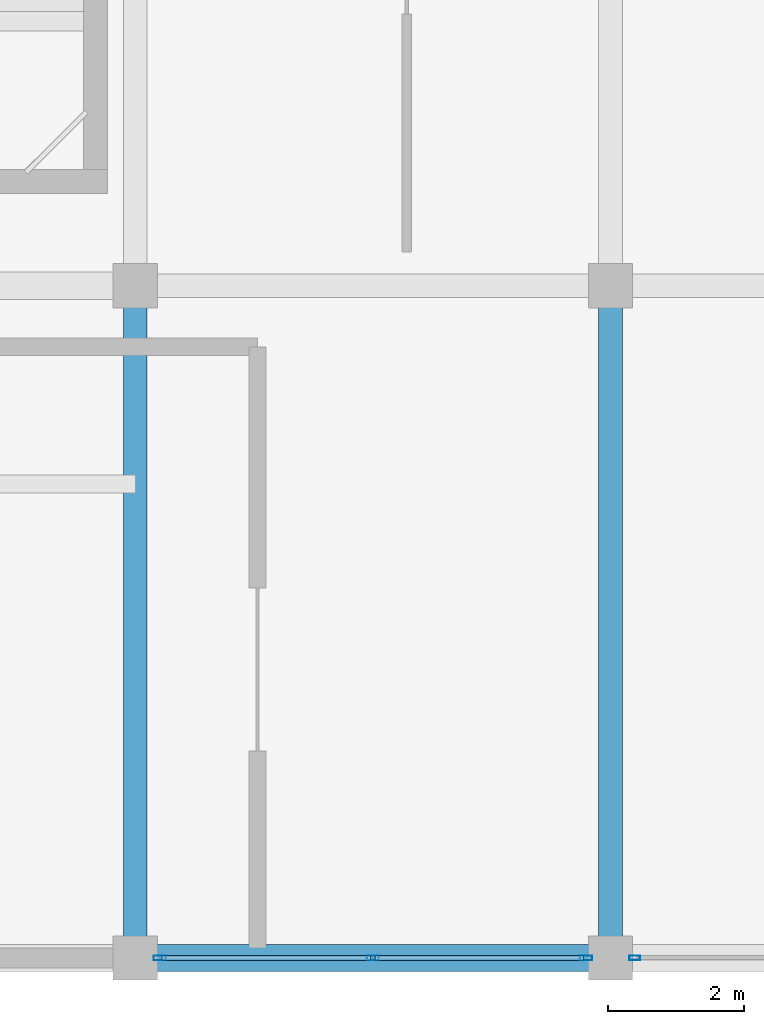
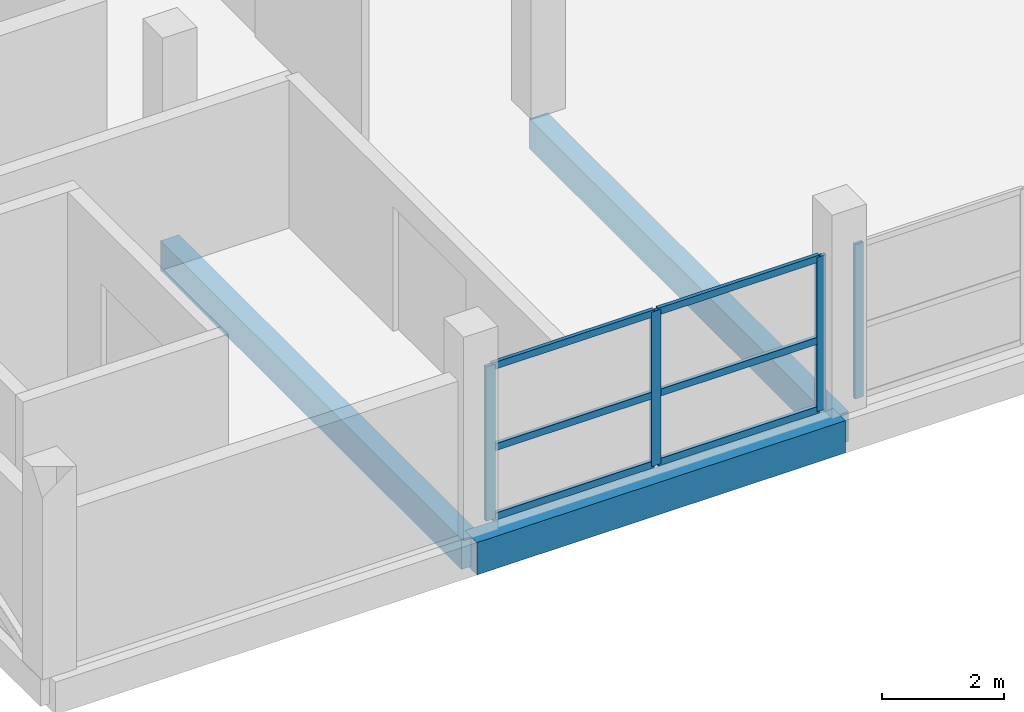
# One storey, part 2 of 66: 10 members, 3 beams, 2 elements without a shape of their own.
"""IFC4 building model written with IfcOpenShell, lengths in metres."""

from ifc_helpers import new_model, si_unit, direction, frame, origin, origin_2d, place, context, subcontext, project, spatial, rectangle, hollow_rectangle, extrude, material, layer, layer_set, material_profile, profile_set, type_object, element, aggregate, save


model = new_model("IFC4")

# Units and contexts
model_context = context("Model", 3, precision=1e-05, world=origin(), true_north=direction((0.0, 1.0)))
body_context = subcontext(model_context, "Body", "Model", "MODEL_VIEW")
ifc_project = project(units=[si_unit("LENGTHUNIT", "METRE"), si_unit("AREAUNIT", "SQUARE_METRE"), si_unit("VOLUMEUNIT", "CUBIC_METRE"), si_unit("PLANEANGLEUNIT", "RADIAN"), si_unit("MASSUNIT", "GRAM", prefix="KILO")], contexts=[model_context])

# Site, building, storey
site_placement = place(None, origin())
site = spatial("IfcSite", under=ifc_project, at=site_placement, CompositionType="ELEMENT")
building_placement = place(site_placement, origin())
building = spatial("IfcBuilding", under=site, at=building_placement, Name="Sillaruma Civic Art Gallery", CompositionType="ELEMENT")
storey_placement = place(building_placement, frame((0.0, 0.0, 62.219970703125)))
storey = spatial("IfcBuildingStorey", under=building, at=storey_placement, Name="L12", CompositionType="ELEMENT", Elevation=62.219970703125)

# Beams
ifc_material_1 = material(Name="Concrete H35 (35 MPa)", Category="concrete")
ifc_material_profile_1 = material_profile(ifc_material_1, rectangle(XDim=0.35009765625, YDim=0.60009765625, at=origin_2d()), Name="RCB350x600")
ifc_profile_set_1 = profile_set([ifc_material_profile_1], Name="Concrete H35 (35 MPa)")
beam_type_1 = type_object("IfcBeamType", Name="BM-BEAM-RCB350x600", PredefinedType="BEAM", material=ifc_profile_set_1)
for number, where, z_axis, x_axis, name in (
    (1, (70.0, 19.800048828125, -0.530029296875), (0.0, 1.0, 0.0), (-1.0, 0.0, 0.0), "Beam BM-06 (L11:G:3-4)"),
    (2, (77.0, 19.800048828125, -0.530029296875), (0.0, 1.0, 0.0), (-1.0, 0.0, 0.0), "Beam BM-06 (L11:H:3-4)"),
):
    element("IfcBeam", number, at=place(storey_placement, frame(where, z_axis=z_axis, x_axis=x_axis)), inside=storey, type_object=beam_type_1, Name=name, PredefinedType="BEAM", context=body_context, shape_type="SweptSolid", body=[
        extrude(rectangle(XDim=0.35009765625, YDim=0.60009765625, at=origin_2d()), origin(), (0.0, 0.0, 1.0), 9.89990234375),
    ])
ifc_material_profile_2 = material_profile(ifc_material_1, rectangle(XDim=0.39990234375, YDim=0.64990234375, at=origin_2d()), Name="RCB400x650")
ifc_profile_set_2 = profile_set([ifc_material_profile_2], Name="Concrete H35 (35 MPa)")
beam_type_2 = type_object("IfcBeamType", Name="BM-SPANDREL-RCB400x650", PredefinedType="SPANDREL", material=ifc_profile_set_2)
beam_placement = place(storey_placement, frame((70.0, 19.800048828125, -0.554931640625), z_axis=(1.0, 0.0, 0.0), x_axis=(0.0, 1.0, 0.0)))
element("IfcBeam", 3, at=beam_placement, inside=storey, type_object=beam_type_2, Name="Beam BS-02 (L11:3:G-H)", PredefinedType="SPANDREL", context=body_context, shape_type="SweptSolid", body=[
    extrude(rectangle(XDim=0.39990234375, YDim=0.64990234375, at=origin_2d()), origin(), (0.0, 0.0, 1.0), 7.0),
])

# Curtain wall, member
ifc_material_2 = material(Name="Thermally Broken Extruded Aluminium 6063-T6", Category="aluminium")
ifc_layer_1 = layer(ifc_material_2, 0.159912109375, Name="Thermally Broken Extruded Aluminium 6063-T6")
ifc_layer_set_1 = layer_set([ifc_layer_1], Name="Thermally Broken Extruded Aluminium 6063-T6")
curtain_wall_type_1 = type_object("IfcCurtainWallType", Name="CW-UNI-96", PredefinedType="NOTDEFINED", material=ifc_layer_set_1)
curtain_wall_1_placement = place(storey_placement, origin())
curtain_wall_1 = element("IfcCurtainWall", 4, at=curtain_wall_1_placement, inside=storey, type_object=curtain_wall_type_1, Name="Unitised Curtain Wall CW-96 (CW-L12-WBS-3)", PredefinedType="NOTDEFINED")
ifc_material_profile_3 = material_profile(ifc_material_2, hollow_rectangle(XDim=0.06494140625, YDim=0.159912109375, WallThickness=0.00390625, at=origin_2d()), Name="CWM65x160")
ifc_profile_set_3 = profile_set([ifc_material_profile_3], Name="Thermally Broken Extruded Aluminium 6063-T6")
member_type_1 = type_object("IfcMemberType", Name="MEM-MUL-CWM65x160", PredefinedType="MULLION", material=ifc_profile_set_3)
member_1_placement = place(storey_placement, frame((77.357421875, 19.800048828125, 0.0), z_axis=(0.0, 0.0, 1.0), x_axis=(0.0, 1.0, 0.0)))
member_1 = element("IfcMember", 5, at=member_1_placement, type_object=member_type_1, Name="CW-96 mullion 1", PredefinedType="MULLION", context=body_context, shape_type="SweptSolid", body=[
    extrude(hollow_rectangle(XDim=0.06494140625, YDim=0.159912109375, WallThickness=0.00390625, at=origin_2d()), origin(), (0.0, 0.0, 1.0), 3.10009765625),
])
aggregate(curtain_wall_1, [member_1])

# Curtain wall, members
ifc_layer_2 = layer(ifc_material_2, 0.179931640625, Name="Thermally Broken Extruded Aluminium 6063-T6")
ifc_layer_set_2 = layer_set([ifc_layer_2], Name="Thermally Broken Extruded Aluminium 6063-T6")
curtain_wall_type_2 = type_object("IfcCurtainWallType", Name="CW-UNI-95", PredefinedType="NOTDEFINED", material=ifc_layer_set_2)
curtain_wall_2_placement = place(storey_placement, origin())
curtain_wall_2 = element("IfcCurtainWall", 6, at=curtain_wall_2_placement, inside=storey, type_object=curtain_wall_type_2, Name="Unitised Curtain Wall CW-95 (CW-L12-WBS-2)", PredefinedType="NOTDEFINED")
ifc_material_profile_4 = material_profile(ifc_material_2, hollow_rectangle(XDim=0.070068359375, YDim=0.179931640625, WallThickness=0.00390625, at=origin_2d()), Name="CWM70x180")
ifc_profile_set_4 = profile_set([ifc_material_profile_4], Name="Thermally Broken Extruded Aluminium 6063-T6")
member_type_2 = type_object("IfcMemberType", Name="MEM-MUL-CWM70x180", PredefinedType="MULLION", material=ifc_profile_set_4)
member_2_placement = place(storey_placement, frame((70.360107421875, 19.800048828125, 0.0), z_axis=(0.0, 0.0, 1.0), x_axis=(0.0, 1.0, 0.0)))
member_2 = element("IfcMember", 7, at=member_2_placement, type_object=member_type_2, Name="CW-95 mullion 1", PredefinedType="MULLION", context=body_context, shape_type="SweptSolid", body=[
    extrude(hollow_rectangle(XDim=0.070068359375, YDim=0.179931640625, WallThickness=0.00390625, at=origin_2d()), origin(), (0.0, 0.0, 1.0), 3.10009765625),
])
member_3_placement = place(storey_placement, frame((73.5, 19.800048828125, 0.0), z_axis=(0.0, 0.0, 1.0), x_axis=(0.0, 1.0, 0.0)))
member_3 = element("IfcMember", 8, at=member_3_placement, type_object=member_type_2, Name="CW-95 mullion 2", PredefinedType="MULLION", context=body_context, shape_type="SweptSolid", body=[
    extrude(hollow_rectangle(XDim=0.070068359375, YDim=0.179931640625, WallThickness=0.00390625, at=origin_2d()), origin(), (0.0, 0.0, 1.0), 3.10009765625),
])
member_4_placement = place(storey_placement, frame((76.639892578125, 19.800048828125, 0.0), z_axis=(0.0, 0.0, 1.0), x_axis=(0.0, 1.0, 0.0)))
member_4 = element("IfcMember", 9, at=member_4_placement, type_object=member_type_2, Name="CW-95 mullion 3", PredefinedType="MULLION", context=body_context, shape_type="SweptSolid", body=[
    extrude(hollow_rectangle(XDim=0.070068359375, YDim=0.179931640625, WallThickness=0.00390625, at=origin_2d()), origin(), (0.0, 0.0, 1.0), 3.10009765625),
])
ifc_material_profile_5 = material_profile(ifc_material_2, hollow_rectangle(XDim=0.070068359375, YDim=0.139892578125, WallThickness=0.00390625, at=origin_2d()), Name="CWT70x140")
ifc_profile_set_5 = profile_set([ifc_material_profile_5], Name="Thermally Broken Extruded Aluminium 6063-T6")
member_type_3 = type_object("IfcMemberType", Name="MEM-TRN-CWT70x140", PredefinedType="USERDEFINED", material=ifc_profile_set_5)
member_5_placement = place(storey_placement, frame((70.39501953125, 19.800048828125, 0.034912109375), z_axis=(1.0, 0.0, 0.0), x_axis=(0.0, 1.0, 0.0)))
member_5 = element("IfcMember", 10, at=member_5_placement, type_object=member_type_3, Name="CW-95 transom 1.1", ObjectType="TRANSOM", PredefinedType="USERDEFINED", context=body_context, shape_type="SweptSolid", body=[
    extrude(hollow_rectangle(XDim=0.070068359375, YDim=0.139892578125, WallThickness=0.00390625, at=origin_2d()), origin(), (0.0, 0.0, 1.0), 3.070068359375),
])
member_6_placement = place(storey_placement, frame((70.39501953125, 19.800048828125, 1.426025390625), z_axis=(1.0, 0.0, 0.0), x_axis=(0.0, 1.0, 0.0)))
member_6 = element("IfcMember", 11, at=member_6_placement, type_object=member_type_3, Name="CW-95 transom 1.2", ObjectType="TRANSOM", PredefinedType="USERDEFINED", context=body_context, shape_type="SweptSolid", body=[
    extrude(hollow_rectangle(XDim=0.070068359375, YDim=0.139892578125, WallThickness=0.00390625, at=origin_2d()), origin(), (0.0, 0.0, 1.0), 3.070068359375),
])
member_7_placement = place(storey_placement, frame((70.39501953125, 19.800048828125, 3.06494140625), z_axis=(1.0, 0.0, 0.0), x_axis=(0.0, 1.0, 0.0)))
member_7 = element("IfcMember", 12, at=member_7_placement, type_object=member_type_3, Name="CW-95 transom 1.3", ObjectType="TRANSOM", PredefinedType="USERDEFINED", context=body_context, shape_type="SweptSolid", body=[
    extrude(hollow_rectangle(XDim=0.070068359375, YDim=0.139892578125, WallThickness=0.00390625, at=origin_2d()), origin(), (0.0, 0.0, 1.0), 3.070068359375),
])
member_8_placement = place(storey_placement, frame((73.534912109375, 19.800048828125, 0.034912109375), z_axis=(1.0, 0.0, 0.0), x_axis=(0.0, 1.0, 0.0)))
member_8 = element("IfcMember", 13, at=member_8_placement, type_object=member_type_3, Name="CW-95 transom 2.1", ObjectType="TRANSOM", PredefinedType="USERDEFINED", context=body_context, shape_type="SweptSolid", body=[
    extrude(hollow_rectangle(XDim=0.070068359375, YDim=0.139892578125, WallThickness=0.00390625, at=origin_2d()), origin(), (0.0, 0.0, 1.0), 3.070068359375),
])
member_9_placement = place(storey_placement, frame((73.534912109375, 19.800048828125, 1.426025390625), z_axis=(1.0, 0.0, 0.0), x_axis=(0.0, 1.0, 0.0)))
member_9 = element("IfcMember", 14, at=member_9_placement, type_object=member_type_3, Name="CW-95 transom 2.2", ObjectType="TRANSOM", PredefinedType="USERDEFINED", context=body_context, shape_type="SweptSolid", body=[
    extrude(hollow_rectangle(XDim=0.070068359375, YDim=0.139892578125, WallThickness=0.00390625, at=origin_2d()), origin(), (0.0, 0.0, 1.0), 3.070068359375),
])
member_10_placement = place(storey_placement, frame((73.534912109375, 19.800048828125, 3.06494140625), z_axis=(1.0, 0.0, 0.0), x_axis=(0.0, 1.0, 0.0)))
member_10 = element("IfcMember", 15, at=member_10_placement, type_object=member_type_3, Name="CW-95 transom 2.3", ObjectType="TRANSOM", PredefinedType="USERDEFINED", context=body_context, shape_type="SweptSolid", body=[
    extrude(hollow_rectangle(XDim=0.070068359375, YDim=0.139892578125, WallThickness=0.00390625, at=origin_2d()), origin(), (0.0, 0.0, 1.0), 3.070068359375),
])
aggregate(curtain_wall_2, [member_2, member_3, member_4, member_5, member_6, member_7, member_8, member_9, member_10])

save(model, "model.ifc")
